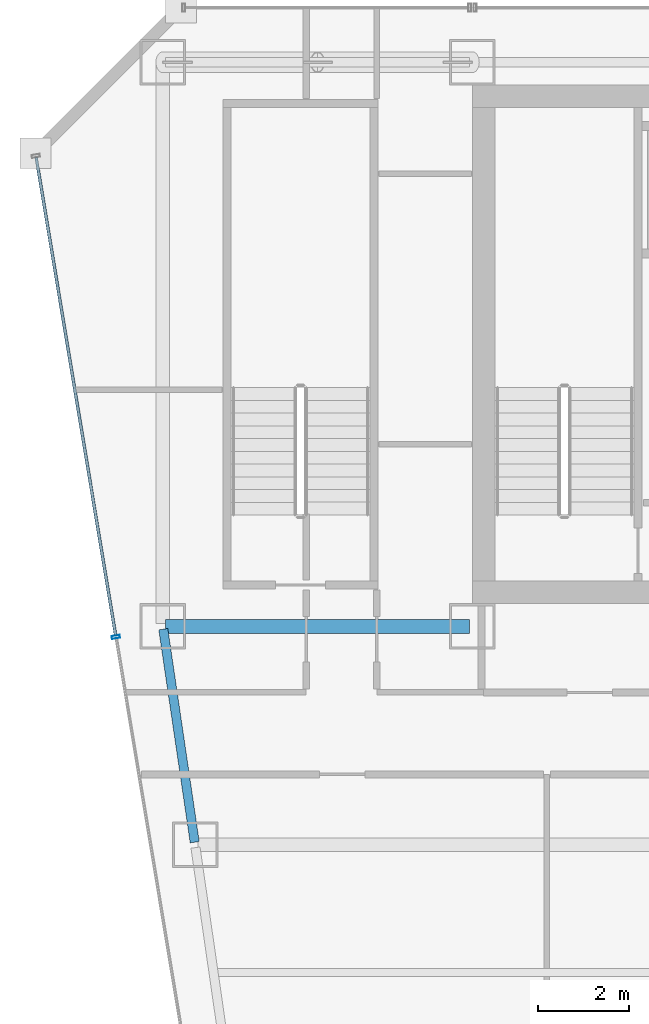
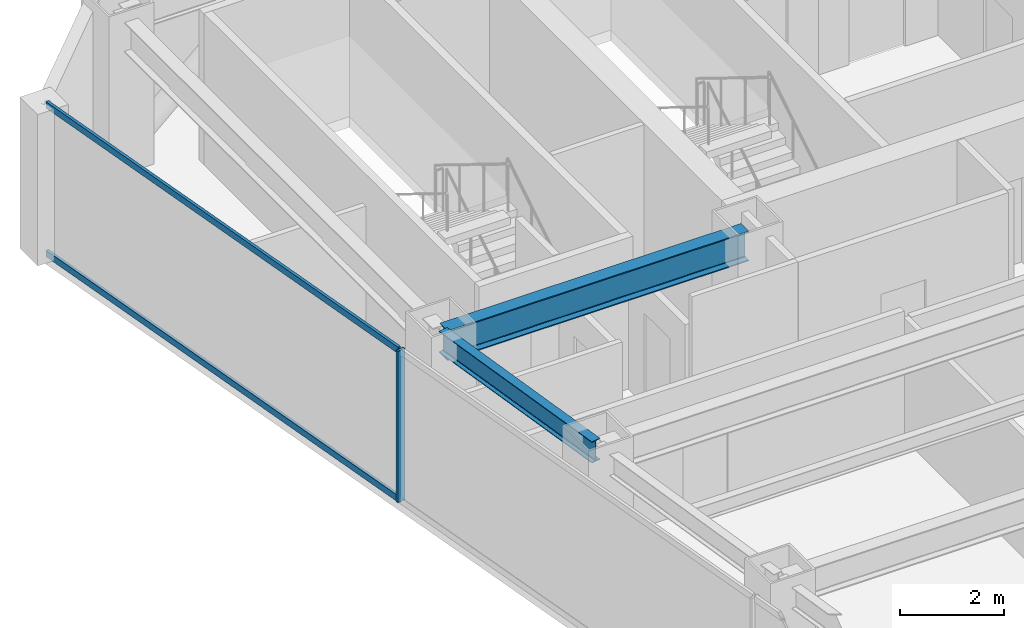
# One storey, part 19 of 37: 3 members, 2 beams, 1 element without a shape of its own.
"""IFC4 building model written with IfcOpenShell, lengths in metres."""

from ifc_helpers import new_model, si_unit, direction, frame, origin, origin_2d, place, context, subcontext, project, spatial, hollow_rectangle, i_section, extrude, material, material_profile, profile_set, type_object, element, aggregate, save


model = new_model("IFC4")

# Units and contexts
model_context = context("Model", 3, precision=1e-05, world=origin(), true_north=direction((0.0, 1.0)))
body_context = subcontext(model_context, "Body", "Model", "MODEL_VIEW")
ifc_project = project(units=[si_unit("LENGTHUNIT", "METRE"), si_unit("AREAUNIT", "SQUARE_METRE"), si_unit("VOLUMEUNIT", "CUBIC_METRE"), si_unit("PLANEANGLEUNIT", "RADIAN"), si_unit("MASSUNIT", "GRAM", prefix="KILO")], contexts=[model_context])

# Site, building, storey
site_placement = place(None, origin())
site = spatial("IfcSite", under=ifc_project, at=site_placement, CompositionType="ELEMENT")
building_placement = place(site_placement, origin())
building = spatial("IfcBuilding", under=site, at=building_placement, Name="Saevonmaru Cultural Tower", CompositionType="ELEMENT")
storey_placement = place(building_placement, frame((0.0, 0.0, 144.800048828125)))
storey = spatial("IfcBuildingStorey", under=building, at=storey_placement, Name="L31", CompositionType="ELEMENT", Elevation=144.800048828125)

# Beams
ifc_material_1 = material(Name="Steel SM355", Category="steel")
ifc_material_profile_1 = material_profile(ifc_material_1, i_section(OverallWidth=0.300048828125, OverallDepth=0.699951171875, WebThickness=0.012939453125, FlangeThickness=0.02392578125, FilletRadius=0.02587890625, at=origin_2d()), Name="H-700x300x13x24")
ifc_profile_set_1 = profile_set([ifc_material_profile_1], Name="Steel SM355")
beam_type_1 = type_object("IfcBeamType", Name="BM-G-H700", PredefinedType="BEAM", material=ifc_profile_set_1)
beam_1_placement = place(storey_placement, frame((6.860107421875, 42.39990234375, 3.199951171875), z_axis=(1.0, 0.0, 0.0), x_axis=(0.0, 1.0, 0.0)))
element("IfcBeam", 1, at=beam_1_placement, inside=storey, type_object=beam_type_1, Name="L31 Core South Girder 1", PredefinedType="BEAM", context=body_context, shape_type="SweptSolid", body=[
    extrude(i_section(OverallWidth=0.300048828125, OverallDepth=0.699951171875, WebThickness=0.012939453125, FlangeThickness=0.02392578125, FilletRadius=0.02587890625, at=origin_2d()), origin(), (0.0, 0.0, 1.0), 6.679931640625),
])
ifc_material_profile_2 = material_profile(ifc_material_1, i_section(OverallWidth=0.199951171875, OverallDepth=0.5, WebThickness=0.010009765625, FlangeThickness=0.01611328125, FilletRadius=0.02001953125, at=origin_2d()), Name="H-500x200x10x16")
ifc_profile_set_2 = profile_set([ifc_material_profile_2], Name="Steel SM355")
beam_type_2 = type_object("IfcBeamType", Name="BM-SP-H500", PredefinedType="SPANDREL", material=ifc_profile_set_2)
beam_2_placement = place(storey_placement, frame((7.499267578125, 37.659423828125, 3.300048828125), z_axis=(-0.145912860028, 0.989297446312, 0.0), x_axis=(-0.989297446312, -0.145912860028, 0.0)))
element("IfcBeam", 2, at=beam_2_placement, inside=storey, type_object=beam_type_2, Name="L31 West Splayed Spandrel 5", PredefinedType="SPANDREL", context=body_context, shape_type="SweptSolid", body=[
    extrude(i_section(OverallWidth=0.199951171875, OverallDepth=0.5, WebThickness=0.010009765625, FlangeThickness=0.01611328125, FilletRadius=0.02001953125, at=origin_2d()), origin(), (0.0, 0.0, 1.0), 4.731689453125),
])

# Curtain wall, members
ifc_material_2 = material(Name="Satin Bronze Anodised Aluminium", Category="aluminium")
curtain_wall_type = type_object("IfcCurtainWallType", Name="CW-TYP-A", PredefinedType="NOTDEFINED", material=ifc_material_2)
curtain_wall_placement = place(storey_placement, origin())
curtain_wall = element("IfcCurtainWall", 3, at=curtain_wall_placement, inside=storey, type_object=curtain_wall_type, Name="L31 Unitised Curtain Wall E12", PredefinedType="NOTDEFINED")
ifc_material_profile_3 = material_profile(ifc_material_2, hollow_rectangle(XDim=0.06494140625, YDim=0.179931640625, WallThickness=0.00390625, at=origin_2d()), Name="ALU-MULL-180x65x4")
ifc_profile_set_3 = profile_set([ifc_material_profile_3], Name="Satin Bronze Anodised Aluminium")
member_type_1 = type_object("IfcMemberType", Name="ML-CW-180x65", PredefinedType="MULLION", material=ifc_profile_set_3)
member_1_placement = place(storey_placement, frame((5.76708984375, 42.17041015625, 0.0), z_axis=(0.0, 0.0, 1.0), x_axis=(0.163998702345, -0.986460554523, 0.0)))
member_1 = element("IfcMember", 4, at=member_1_placement, type_object=member_type_1, Name="CW-TW-L31-E12 mullion 2", PredefinedType="MULLION", context=body_context, shape_type="SweptSolid", body=[
    extrude(hollow_rectangle(XDim=0.06494140625, YDim=0.179931640625, WallThickness=0.00390625, at=origin_2d()), origin(), (0.0, 0.0, 1.0), 3.550048828125),
])
ifc_material_profile_4 = material_profile(ifc_material_2, hollow_rectangle(XDim=0.06494140625, YDim=0.14990234375, WallThickness=0.00390625, at=origin_2d()), Name="ALU-TRAN-150x65x4")
ifc_profile_set_4 = profile_set([ifc_material_profile_4], Name="Satin Bronze Anodised Aluminium")
member_type_2 = type_object("IfcMemberType", Name="TR-CW-150x65", PredefinedType="USERDEFINED", material=ifc_profile_set_4)
member_2_placement = place(storey_placement, frame((4.01513671875, 52.708740234375, 0.032470703125), z_axis=(0.163990079074, -0.9864619881, 0.0), x_axis=(0.9864619881, 0.163990079074, 0.0)))
member_2 = element("IfcMember", 5, at=member_2_placement, type_object=member_type_2, Name="CW-TW-L31-E12 transom 1.1", ObjectType="TRANSOM", PredefinedType="USERDEFINED", context=body_context, shape_type="SweptSolid", body=[
    extrude(hollow_rectangle(XDim=0.06494140625, YDim=0.14990234375, WallThickness=0.00390625, at=origin_2d()), origin(), (0.0, 0.0, 1.0), 10.650634765625),
])
member_3_placement = place(storey_placement, frame((4.01513671875, 52.708740234375, 3.517333984375), z_axis=(0.163990079074, -0.9864619881, 0.0), x_axis=(0.9864619881, 0.163990079074, 0.0)))
member_3 = element("IfcMember", 6, at=member_3_placement, type_object=member_type_2, Name="CW-TW-L31-E12 transom 1.2", ObjectType="TRANSOM", PredefinedType="USERDEFINED", context=body_context, shape_type="SweptSolid", body=[
    extrude(hollow_rectangle(XDim=0.06494140625, YDim=0.14990234375, WallThickness=0.00390625, at=origin_2d()), origin(), (0.0, 0.0, 1.0), 10.650634765625),
])
aggregate(curtain_wall, [member_1, member_2, member_3])

save(model, "model.ifc")
